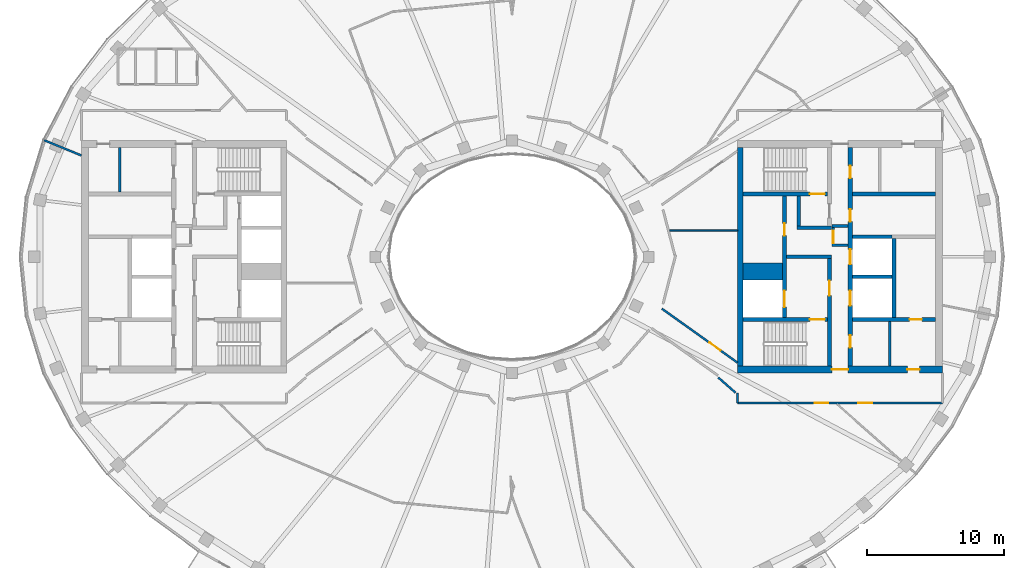
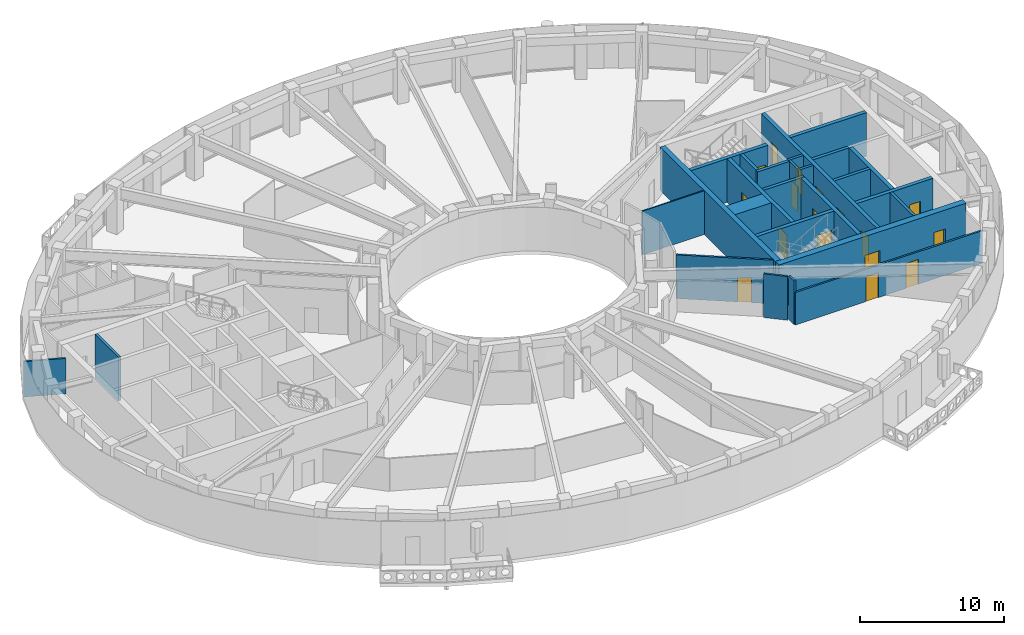
# One storey, part 8 of 18: 27 walls, 17 doors, 17 openings.
"""IFC4 building model written with IfcOpenShell, lengths in metres."""

import ifcopenshell
import ifcopenshell.guid

model = None  # the IFC model being written
_history = None  # IfcOwnerHistory: only IFC2X3 demands one
_inside = {}  # id of a spatial element -> (the spatial element, [elements in it])
_under = {}  # id of a project, library or spatial element -> (it, [spatial elements below it])
_declared = {}  # id of a project -> (the project, [libraries it declares])
_typed = {}  # id of a type object -> (the type object, [elements of that type])
_made_of = {}  # id of a material, layer set ... -> (it, [elements and type objects made of it])


def new_model(schema):
    """Start an empty IFC model of exactly this schema.

    Asked for "IFC4X3", IfcOpenShell would pick the latest addendum, in which some entities
    have other attributes; the version numbers below select the first issue.
    IFC2X3 requires an IfcOwnerHistory on every rooted entity: one is made here for all.
    """
    global model, _history
    if schema == "IFC4X3":
        model = ifcopenshell.file(schema_version=(4, 3, 0, 0))
    else:
        model = ifcopenshell.file(schema=schema)
    _inside.clear()
    _under.clear()
    _declared.clear()
    _typed.clear()
    _made_of.clear()
    _history = None
    if model.schema == "IFC2X3":
        org = make("IfcOrganization", Name="unknown")
        user = make(
            "IfcPersonAndOrganization",
            ThePerson=make("IfcPerson", FamilyName="unknown"),
            TheOrganization=org,
        )
        app = make(
            "IfcApplication",
            ApplicationDeveloper=org,
            Version="unknown",
            ApplicationFullName="unknown",
            ApplicationIdentifier="unknown",
        )
        _history = make(
            "IfcOwnerHistory",
            OwningUser=user,
            OwningApplication=app,
            ChangeAction="ADDED",
            CreationDate=0,
        )
    return model


def make(cls, **values):
    """One entity of the class cls with the attributes given. An attribute that is None is left unset."""
    return model.create_entity(
        cls, **{name: value for name, value in values.items() if value is not None}
    )


def rooted(cls, **values):
    """An entity with a GlobalId (a new one), such as an element, a storey or a relation."""
    return make(cls, GlobalId=ifcopenshell.guid.new(), OwnerHistory=_history, **values)


def si_unit(unit_type, name, prefix=None):
    """IfcSIUnit, for example si_unit("LENGTHUNIT", "METRE", prefix="MILLI")."""
    return make("IfcSIUnit", UnitType=unit_type, Prefix=prefix, Name=name)


def assignment(units):
    """IfcUnitAssignment: the units of a project."""
    return None if units is None else make("IfcUnitAssignment", Units=units)


def point(xyz):
    """IfcCartesianPoint."""
    return None if xyz is None else make("IfcCartesianPoint", Coordinates=xyz)


def direction(xyz):
    """IfcDirection."""
    return None if xyz is None else make("IfcDirection", DirectionRatios=xyz)


def frame(location, z_axis=None, x_axis=None):
    """IfcAxis2Placement3D, a coordinate frame: its origin and axes. An axis left out is left unset."""
    return make(
        "IfcAxis2Placement3D",
        Location=point(location),
        Axis=direction(z_axis),
        RefDirection=direction(x_axis),
    )


def frame_2d(location, x_axis=None):
    """IfcAxis2Placement2D, a coordinate frame in the plane: its origin and x axis."""
    return make(
        "IfcAxis2Placement2D", Location=point(location), RefDirection=direction(x_axis)
    )


def origin():
    """The frame at (0, 0, 0) with its axes left unset."""
    return frame((0.0, 0.0, 0.0))


def place(relative_to, where):
    """IfcLocalPlacement: puts the frame where relative to a parent placement (None: the world)."""
    return make(
        "IfcLocalPlacement", PlacementRelTo=relative_to, RelativePlacement=where
    )


def context(
    kind, dimensions, precision=None, world=None, true_north=None, identifier=None
):
    """IfcGeometricRepresentationContext, for example the 3D "Model" context."""
    return make(
        "IfcGeometricRepresentationContext",
        ContextIdentifier=identifier,
        ContextType=kind,
        CoordinateSpaceDimension=dimensions,
        Precision=precision,
        WorldCoordinateSystem=world,
        TrueNorth=true_north,
    )


def subcontext(parent, identifier, kind, view, scale=None):
    """IfcGeometricRepresentationSubContext, for example "Body" below "Model"."""
    return make(
        "IfcGeometricRepresentationSubContext",
        ContextIdentifier=identifier,
        ContextType=kind,
        ParentContext=parent,
        TargetScale=scale,
        TargetView=view,
    )


def project(units=None, contexts=None):
    """IfcProject with its units and contexts."""
    return rooted(
        "IfcProject",
        Name="project",
        RepresentationContexts=contexts,
        UnitsInContext=assignment(units),
    )


def spatial(cls, under=None, at=None, **own):
    """A site, building, storey or space (cls), placed at a placement, below another one or the project."""
    s = rooted(cls, ObjectPlacement=at, **own)
    if under is not None:
        _under.setdefault(under.id(), (under, []))[1].append(s)
    return s


def profile(cls, at=None, kind="AREA", **sizes):
    """A parametric profile (cls). Its sizes go by their IFC names, for example OverallWidth=200.0."""
    return make(cls, ProfileType=kind, Position=at, **sizes)


def rectangle(**sizes):
    """IfcRectangleProfileDef."""
    return profile("IfcRectangleProfileDef", **sizes)


def extrude(swept, where, along, depth):
    """IfcExtrudedAreaSolid: the profile swept, set in the frame where, extruded along a direction by depth."""
    return make(
        "IfcExtrudedAreaSolid",
        SweptArea=swept,
        Position=where,
        ExtrudedDirection=direction(along),
        Depth=depth,
    )


def shape(context_of_items, identifier, shape_type, items):
    """IfcShapeRepresentation: the items that make up one representation, for example the "Body"."""
    return make(
        "IfcShapeRepresentation",
        ContextOfItems=context_of_items,
        RepresentationIdentifier=identifier,
        RepresentationType=shape_type,
        Items=items,
    )


def material(Name=None, Category=None):
    """IfcMaterial."""
    return make("IfcMaterial", Name=Name, Category=Category)


def layer(
    of_material, thickness, ventilated=None, Name=None, Category=None, Priority=None
):
    """IfcMaterialLayer: one layer of a wall or slab, of a material (None: an air gap)."""
    return make(
        "IfcMaterialLayer",
        Material=of_material,
        LayerThickness=thickness,
        IsVentilated=ventilated,
        Name=Name,
        Category=Category,
        Priority=Priority,
    )


def layer_set(layers, Name=None):
    """IfcMaterialLayerSet."""
    return make("IfcMaterialLayerSet", MaterialLayers=layers, LayerSetName=Name)


def made_of(thing, what):
    """Note that an element or type object is made of a material, layer set ...; save() writes the relation."""
    if what is not None:
        _made_of.setdefault(what.id(), (what, []))[1].append(thing)
    return thing


def type_object(cls, material=None, **own):
    """A type object (cls), such as IfcWallType, which elements share."""
    return made_of(rooted(cls, **own), material)


def element(
    cls,
    number,
    at=None,
    inside=None,
    cuts=None,
    type_object=None,
    material=None,
    context=None,
    identifier="Body",
    shape_type=None,
    held_by="IfcProductDefinitionShape",
    body=None,
    shapes=None,
    **own,
):
    """One element of the class cls, such as IfcWall. Its Tag is "e" and its number.

    at: its placement. inside: the storey or other place that contains it. cuts: it is an
    opening in that element (IfcRelVoidsElement). A single representation is given by context,
    identifier, shape_type and body (its items); several are given by shapes. held_by: the class
    of the entity that holds the representations. save() writes the other relations.
    """
    e = rooted(cls, Tag="e%d" % number, ObjectPlacement=at, **own)
    if body is not None:
        shapes = [shape(context, identifier, shape_type, body)]
    if shapes is not None:
        e.Representation = make(held_by, Representations=shapes)
    if inside is not None:
        _inside.setdefault(inside.id(), (inside, []))[1].append(e)
    if cuts is not None:
        rooted(
            "IfcRelVoidsElement", RelatingBuildingElement=cuts, RelatedOpeningElement=e
        )
    if type_object is not None:
        _typed.setdefault(type_object.id(), (type_object, []))[1].append(e)
    return made_of(e, material)


def fill(opening, filler):
    """IfcRelFillsElement: the door or window that sits in an opening."""
    return rooted(
        "IfcRelFillsElement",
        RelatingOpeningElement=opening,
        RelatedBuildingElement=filler,
    )


def aggregate(whole, parts):
    """IfcRelAggregates: a whole, such as a stair, and the parts it consists of."""
    return rooted("IfcRelAggregates", RelatingObject=whole, RelatedObjects=parts)


def save(model, path):
    """Write the relations noted so far, then the file.

    IfcRelAggregates (storeys below a building ...), IfcRelContainedInSpatialStructure (elements
    in a storey), IfcRelDefinesByType, IfcRelAssociatesMaterial and IfcRelDeclares: one each for
    every whole, place, type object, material and project.
    """
    for whole, parts in _under.values():
        aggregate(whole, parts)
    for where, things in _inside.values():
        rooted(
            "IfcRelContainedInSpatialStructure",
            RelatedElements=things,
            RelatingStructure=where,
        )
    for kind, things in _typed.values():
        rooted("IfcRelDefinesByType", RelatedObjects=things, RelatingType=kind)
    for what, things in _made_of.values():
        rooted("IfcRelAssociatesMaterial", RelatedObjects=things, RelatingMaterial=what)
    for by, libraries in _declared.values():
        rooted("IfcRelDeclares", RelatingContext=by, RelatedDefinitions=libraries)
    model.write(path)


model = new_model("IFC4")

# Units and contexts
model_context = context("Model", 3, precision=1e-05, world=origin(), true_north=direction((0.0, 1.0)))
body_context = subcontext(model_context, "Body", "Model", "MODEL_VIEW")
ifc_project = project(units=[si_unit("LENGTHUNIT", "METRE"), si_unit("AREAUNIT", "SQUARE_METRE"), si_unit("VOLUMEUNIT", "CUBIC_METRE"), si_unit("PLANEANGLEUNIT", "RADIAN"), si_unit("MASSUNIT", "GRAM", prefix="KILO")], contexts=[model_context])

# Site, building, storey
site_placement = place(None, origin())
site = spatial("IfcSite", under=ifc_project, at=site_placement, CompositionType="ELEMENT")
building_placement = place(site_placement, origin())
building = spatial("IfcBuilding", under=site, at=building_placement, Name="Noorbagh Ring Tower", CompositionType="ELEMENT")
storey_placement = place(building_placement, frame((0.0, 0.0, 319.0)))
storey = spatial("IfcBuildingStorey", under=building, at=storey_placement, Name="L69", CompositionType="ELEMENT", Elevation=319.0)

# Walls
ifc_material_1 = material(Name="Gypsum board on steel studs", Category="steel")
ifc_layer_1 = layer(ifc_material_1, 0.199951171875)
ifc_layer_set_1 = layer_set([ifc_layer_1], Name="Gypsum board on steel studs")
wall_type_1 = type_object("IfcWallType", Name="CORE-PARTITION-200", PredefinedType="PARTITIONING", material=ifc_layer_set_1)
wall_1_placement = place(storey_placement, frame((-28.699951171875, 4.75, 0.0), z_axis=(0.0, 0.0, 1.0), x_axis=(0.0, 1.0, 0.0)))
element("IfcWall", 1, at=wall_1_placement, inside=storey, type_object=wall_type_1, Name="Core partition W", PredefinedType="PARTITIONING", context=body_context, shape_type="SweptSolid", body=[
    extrude(rectangle(XDim=3.25, YDim=0.199951171875, at=frame_2d((1.625, 0.0))), origin(), (0.0, 0.0, 1.0), 3.699951171875),
])
for number, where, z_axis, x_axis, name in (
    (2, (23.39990234375, 0.85009765625, 0.0), (0.0, 0.0, 1.0), (1.0, 0.0, 0.0), "Core partition E"),
    (3, (23.39990234375, 2.25, 0.0), (0.0, 0.0, 1.0), (1.0, 0.0, 0.0), "Core partition E"),
):
    element("IfcWall", number, at=place(storey_placement, frame(where, z_axis=z_axis, x_axis=x_axis)), inside=storey, type_object=wall_type_1, Name=name, PredefinedType="PARTITIONING", context=body_context, shape_type="SweptSolid", body=[
        extrude(rectangle(XDim=1.2001953125, YDim=0.199951171875, at=frame_2d((0.60009765625, 0.0))), origin(), (0.0, 0.0, 1.0), 3.699951171875),
    ])

# Wall, opening, door
wall_2_placement = place(storey_placement, frame((23.5, 0.75, 0.0), z_axis=(0.0, 0.0, 1.0), x_axis=(0.0, 1.0, 0.0)))
wall_2 = element("IfcWall", 4, at=wall_2_placement, inside=storey, type_object=wall_type_1, Name="Core partition E", PredefinedType="PARTITIONING", context=body_context, shape_type="SweptSolid", body=[
    extrude(rectangle(XDim=1.60009765625, YDim=0.199951171875, at=frame_2d((0.800048828125, 0.0))), origin(), (0.0, 0.0, 1.0), 3.699951171875),
])
opening_1_placement = place(wall_2_placement, frame((0.25, 0.0, 0.0)))
opening_1 = element("IfcOpeningElement", 5, at=opening_1_placement, cuts=wall_2, Name="Opening L69-CE16", PredefinedType="OPENING", context=body_context, shape_type="SweptSolid", body=[
    extrude(rectangle(XDim=0.89990234375, YDim=2.10009765625, at=frame_2d((0.449951171875, 1.050048828125))), frame((0.0, 0.10986328125, 0.0), z_axis=(0.0, -1.0, 0.0), x_axis=(1.0, 0.0, 0.0)), (0.0, 0.0, 1.0), 0.219970703125),
])
ifc_material_2 = material(Name="Steel door leaf", Category="steel")
door_type_1 = type_object("IfcDoorType", Name="CORE-DOOR-DROOM", OperationType="SINGLE_SWING_LEFT", PredefinedType="DOOR", material=ifc_material_2)
door_1_placement = place(opening_1_placement, origin())
door_1 = element("IfcDoor", 6, at=door_1_placement, inside=storey, type_object=door_type_1, Name="Core room door L69-CE16", OperationType="SINGLE_SWING_LEFT", OverallHeight=2.10009765625, OverallWidth=0.89990234375, PredefinedType="DOOR", context=body_context, shape_type="SweptSolid", body=[
    extrude(rectangle(XDim=0.89990234375, YDim=2.10009765625, at=frame_2d((0.449951171875, 1.050048828125))), frame((0.0, 0.02490234375, 0.0), z_axis=(0.0, -1.0, 0.0), x_axis=(1.0, 0.0, 0.0)), (0.0, 0.0, 1.0), 0.050048828125),
])
fill(opening_1, door_1)

# Walls
wall_3_placement = place(storey_placement, frame((27.64990234375, -8.0, 0.0), z_axis=(0.0, 0.0, 1.0), x_axis=(0.0, 1.0, 0.0)))
element("IfcWall", 7, at=wall_3_placement, inside=storey, type_object=wall_type_1, Name="Core partition E", PredefinedType="PARTITIONING", context=body_context, shape_type="SweptSolid", body=[
    extrude(rectangle(XDim=3.25, YDim=0.199951171875, at=frame_2d((1.625, 0.0))), origin(), (0.0, 0.0, 1.0), 3.699951171875),
])
ifc_material_3 = material(Name="Concrete C50/60", Category="concrete")
ifc_layer_2 = layer(ifc_material_3, 1.25)
ifc_layer_set_2 = layer_set([ifc_layer_2], Name="Concrete C50/60")
wall_type_2 = type_object("IfcWallType", Name="CORE-WALL-1250-C50-60-EI120", PredefinedType="SHEAR", material=ifc_layer_set_2)
wall_4_placement = place(storey_placement, frame((16.89990234375, -1.074951171875, 0.0), z_axis=(0.0, 0.0, 1.0), x_axis=(1.0, 0.0, 0.0)))
element("IfcWall", 8, at=wall_4_placement, inside=storey, type_object=wall_type_2, Name="Core wall E", PredefinedType="SHEAR", context=body_context, shape_type="SweptSolid", body=[
    extrude(rectangle(XDim=2.900146484375, YDim=1.25, at=frame_2d((1.4501953125, 0.0))), origin(), (0.0, 0.0, 1.0), 3.699951171875),
])
ifc_material_4 = material(Name="Concrete C50/60", Category="concrete")
ifc_layer_3 = layer(ifc_material_4, 0.25)
ifc_layer_set_3 = layer_set([ifc_layer_3], Name="Concrete C50/60")
wall_type_3 = type_object("IfcWallType", Name="CORE-WALL-250-C50-60-EI120", PredefinedType="SHEAR", material=ifc_layer_set_3)
for number, where, z_axis, x_axis, name in (
    (9, (24.89990234375, -1.47509765625, 0.0), (0.0, 0.0, 1.0), (1.0, 0.0, 0.0), "Core wall E"),
    (10, (24.89990234375, 1.47509765625, 0.0), (0.0, 0.0, 1.0), (1.0, 0.0, 0.0), "Core wall E"),
):
    element("IfcWall", number, at=place(storey_placement, frame(where, z_axis=z_axis, x_axis=x_axis)), inside=storey, type_object=wall_type_3, Name=name, PredefinedType="SHEAR", context=body_context, shape_type="SweptSolid", body=[
        extrude(rectangle(XDim=2.900146484375, YDim=0.25, at=frame_2d((1.4501953125, 0.0))), origin(), (0.0, 0.0, 1.0), 3.699951171875),
    ])
ifc_material_5 = material(Name="Concrete C50/60", Category="concrete")
ifc_layer_4 = layer(ifc_material_5, 0.25)
ifc_layer_set_4 = layer_set([ifc_layer_4], Name="Concrete C50/60")
wall_type_4 = type_object("IfcWallType", Name="CORE-WALL-250-C50-60-EI240", PredefinedType="SHEAR", material=ifc_layer_set_4)
wall_5_placement = place(storey_placement, frame((20.10009765625, 0.0, 0.0), z_axis=(0.0, 0.0, 1.0), x_axis=(1.0, 0.0, 0.0)))
element("IfcWall", 11, at=wall_5_placement, inside=storey, type_object=wall_type_4, Name="Core wall E", PredefinedType="SHEAR", context=body_context, shape_type="SweptSolid", body=[
    extrude(rectangle(XDim=3.27978515625, YDim=0.25, at=frame_2d((1.639892578125, 0.0))), origin(), (0.0, 0.0, 1.0), 3.699951171875),
])
wall_6_placement = place(storey_placement, frame((20.85009765625, 2.125, 0.0), z_axis=(0.0, 0.0, 1.0), x_axis=(1.0, 0.0, 0.0)))
element("IfcWall", 12, at=wall_6_placement, inside=storey, type_object=wall_type_4, Name="Core wall E", PredefinedType="SHEAR", context=body_context, shape_type="SweptSolid", body=[
    extrude(rectangle(XDim=2.52978515625, YDim=0.25, at=frame_2d((1.264892578125, 0.0))), origin(), (0.0, 0.0, 1.0), 3.699951171875),
])
wall_7_placement = place(storey_placement, frame((20.97509765625, 2.25, 0.0), z_axis=(0.0, 0.0, 1.0), x_axis=(0.0, 1.0, 0.0)))
element("IfcWall", 13, at=wall_7_placement, inside=storey, type_object=wall_type_4, Name="Core wall E", PredefinedType="SHEAR", context=body_context, shape_type="SweptSolid", body=[
    extrude(rectangle(XDim=2.199951171875, YDim=0.25, at=frame_2d((1.10009765625, 0.0))), origin(), (0.0, 0.0, 1.0), 3.699951171875),
])
ifc_material_6 = material(Name="Concrete C50/60", Category="concrete")
ifc_layer_5 = layer(ifc_material_6, 0.300048828125)
ifc_layer_set_5 = layer_set([ifc_layer_5], Name="Concrete C50/60")
wall_type_5 = type_object("IfcWallType", Name="CORE-WALL-300-C50-60-EI120", PredefinedType="SHEAR", material=ifc_layer_set_5)
wall_8_placement = place(storey_placement, frame((27.949951171875, -4.449951171875, 0.0), z_axis=(0.0, 0.0, 1.0), x_axis=(0.0, 1.0, 0.0)))
element("IfcWall", 14, at=wall_8_placement, inside=storey, type_object=wall_type_5, Name="Core wall E", PredefinedType="SHEAR", context=body_context, shape_type="SweptSolid", body=[
    extrude(rectangle(XDim=5.800048828125, YDim=0.300048828125, at=frame_2d((2.89990234375, 0.0))), origin(), (0.0, 0.0, 1.0), 3.699951171875),
])

# Wall, openings, doors
wall_9_placement = place(storey_placement, frame((19.949951171875, -4.449951171875, 0.0), z_axis=(0.0, 0.0, 1.0), x_axis=(0.0, 1.0, 0.0)))
wall_9 = element("IfcWall", 15, at=wall_9_placement, inside=storey, type_object=wall_type_5, Name="Core wall E", PredefinedType="SHEAR", context=body_context, shape_type="SweptSolid", body=[
    extrude(rectangle(XDim=8.89990234375, YDim=0.300048828125, at=frame_2d((4.449951171875, 0.0))), origin(), (0.0, 0.0, 1.0), 3.699951171875),
])
opening_2_placement = place(wall_9_placement, frame((0.77490234375, 0.0, 0.0)))
opening_2 = element("IfcOpeningElement", 16, at=opening_2_placement, cuts=wall_9, Name="Opening L69-CE01", PredefinedType="OPENING", context=body_context, shape_type="SweptSolid", body=[
    extrude(rectangle(XDim=1.199951171875, YDim=2.10009765625, at=frame_2d((0.60009765625, 1.050048828125))), frame((0.0, 0.16015625, 0.0), z_axis=(0.0, -1.0, 0.0), x_axis=(1.0, 0.0, 0.0)), (0.0, 0.0, 1.0), 0.320068359375),
])
opening_3_placement = place(wall_9_placement, frame((6.0, 0.0, 0.0)))
opening_3 = element("IfcOpeningElement", 17, at=opening_3_placement, cuts=wall_9, Name="Opening L69-CE10", PredefinedType="OPENING", context=body_context, shape_type="SweptSolid", body=[
    extrude(rectangle(XDim=0.89990234375, YDim=2.10009765625, at=frame_2d((0.449951171875, 1.050048828125))), frame((0.0, 0.16015625, 0.0), z_axis=(0.0, -1.0, 0.0), x_axis=(1.0, 0.0, 0.0)), (0.0, 0.0, 1.0), 0.320068359375),
])
door_2_placement = place(opening_3_placement, origin())
door_2 = element("IfcDoor", 18, at=door_2_placement, inside=storey, type_object=door_type_1, Name="Core room door L69-CE10", OperationType="SINGLE_SWING_RIGHT", OverallHeight=2.10009765625, OverallWidth=0.89990234375, PredefinedType="DOOR", context=body_context, shape_type="SweptSolid", body=[
    extrude(rectangle(XDim=0.89990234375, YDim=2.10009765625, at=frame_2d((0.449951171875, 1.050048828125))), frame((0.0, 0.02490234375, 0.0), z_axis=(0.0, -1.0, 0.0), x_axis=(1.0, 0.0, 0.0)), (0.0, 0.0, 1.0), 0.050048828125),
])
fill(opening_3, door_2)
ifc_material_7 = material(Name="Steel door leaf", Category="steel")
door_type_2 = type_object("IfcDoorType", Name="CORE-DOOR-LDW", OperationType="DOUBLE_DOOR_SLIDING", PredefinedType="DOOR", material=ifc_material_7)
door_3_placement = place(opening_2_placement, origin())
door_3 = element("IfcDoor", 19, at=door_3_placement, inside=storey, type_object=door_type_2, Name="Landing door FF2 L69-CE01", OperationType="DOUBLE_DOOR_SLIDING", OverallHeight=2.10009765625, OverallWidth=1.199951171875, PredefinedType="DOOR", context=body_context, shape_type="SweptSolid", body=[
    extrude(rectangle(XDim=1.199951171875, YDim=2.10009765625, at=frame_2d((0.60009765625, 1.050048828125))), frame((0.0, 0.02490234375, 0.0), z_axis=(0.0, -1.0, 0.0), x_axis=(1.0, 0.0, 0.0)), (0.0, 0.0, 1.0), 0.050048828125),
])
fill(opening_2, door_3)

wall_10_placement = place(storey_placement, frame((24.75, -8.0, 0.0), z_axis=(0.0, 0.0, 1.0), x_axis=(0.0, 1.0, 0.0)))
wall_10 = element("IfcWall", 20, at=wall_10_placement, inside=storey, type_object=wall_type_5, Name="Core wall E", PredefinedType="SHEAR", context=body_context, shape_type="SweptSolid", body=[
    extrude(rectangle(XDim=16.0, YDim=0.300048828125, at=frame_2d((8.0, 0.0))), origin(), (0.0, 0.0, 1.0), 3.699951171875),
])
opening_4_placement = place(wall_10_placement, frame((4.425048828125, 0.0, 0.0)))
opening_4 = element("IfcOpeningElement", 21, at=opening_4_placement, cuts=wall_10, Name="Opening L69-CE02", PredefinedType="OPENING", context=body_context, shape_type="SweptSolid", body=[
    extrude(rectangle(XDim=1.10009765625, YDim=2.10009765625, at=frame_2d((0.550048828125, 1.050048828125))), frame((0.0, 0.16015625, 0.0), z_axis=(0.0, -1.0, 0.0), x_axis=(1.0, 0.0, 0.0)), (0.0, 0.0, 1.0), 0.320068359375),
])
opening_5_placement = place(wall_10_placement, frame((7.449951171875, 0.0, 0.0)))
opening_5 = element("IfcOpeningElement", 22, at=opening_5_placement, cuts=wall_10, Name="Opening L69-CE03", PredefinedType="OPENING", context=body_context, shape_type="SweptSolid", body=[
    extrude(rectangle(XDim=1.10009765625, YDim=2.10009765625, at=frame_2d((0.550048828125, 1.050048828125))), frame((0.0, 0.16015625, 0.0), z_axis=(0.0, -1.0, 0.0), x_axis=(1.0, 0.0, 0.0)), (0.0, 0.0, 1.0), 0.320068359375),
])
opening_6_placement = place(wall_10_placement, frame((10.574951171875, 0.0, 0.0)))
opening_6 = element("IfcOpeningElement", 23, at=opening_6_placement, cuts=wall_10, Name="Opening L69-CE11", PredefinedType="OPENING", context=body_context, shape_type="SweptSolid", body=[
    extrude(rectangle(XDim=0.89990234375, YDim=2.10009765625, at=frame_2d((0.449951171875, 1.050048828125))), frame((0.0, 0.16015625, 0.0), z_axis=(0.0, -1.0, 0.0), x_axis=(1.0, 0.0, 0.0)), (0.0, 0.0, 1.0), 0.320068359375),
])
opening_7_placement = place(wall_10_placement, frame((13.75, 0.0, 0.0)))
opening_7 = element("IfcOpeningElement", 24, at=opening_7_placement, cuts=wall_10, Name="Opening L69-CE12", PredefinedType="OPENING", context=body_context, shape_type="SweptSolid", body=[
    extrude(rectangle(XDim=0.89990234375, YDim=2.10009765625, at=frame_2d((0.449951171875, 1.050048828125))), frame((0.0, 0.16015625, 0.0), z_axis=(0.0, -1.0, 0.0), x_axis=(1.0, 0.0, 0.0)), (0.0, 0.0, 1.0), 0.320068359375),
])
opening_8_placement = place(wall_10_placement, frame((1.35009765625, 0.0, 0.0)))
opening_8 = element("IfcOpeningElement", 25, at=opening_8_placement, cuts=wall_10, Name="Opening L69-CE14", PredefinedType="OPENING", context=body_context, shape_type="SweptSolid", body=[
    extrude(rectangle(XDim=0.89990234375, YDim=2.10009765625, at=frame_2d((0.449951171875, 1.050048828125))), frame((0.0, 0.16015625, 0.0), z_axis=(0.0, -1.0, 0.0), x_axis=(1.0, 0.0, 0.0)), (0.0, 0.0, 1.0), 0.320068359375),
])
door_4_placement = place(opening_6_placement, origin())
door_4 = element("IfcDoor", 26, at=door_4_placement, inside=storey, type_object=door_type_1, Name="Core room door L69-CE11", OperationType="SINGLE_SWING_LEFT", OverallHeight=2.10009765625, OverallWidth=0.89990234375, PredefinedType="DOOR", context=body_context, shape_type="SweptSolid", body=[
    extrude(rectangle(XDim=0.89990234375, YDim=2.10009765625, at=frame_2d((0.449951171875, 1.050048828125))), frame((0.0, 0.02490234375, 0.0), z_axis=(0.0, -1.0, 0.0), x_axis=(1.0, 0.0, 0.0)), (0.0, 0.0, 1.0), 0.050048828125),
])
fill(opening_6, door_4)
door_5_placement = place(opening_7_placement, origin())
door_5 = element("IfcDoor", 27, at=door_5_placement, inside=storey, type_object=door_type_1, Name="Core room door L69-CE12", OperationType="SINGLE_SWING_LEFT", OverallHeight=2.10009765625, OverallWidth=0.89990234375, PredefinedType="DOOR", context=body_context, shape_type="SweptSolid", body=[
    extrude(rectangle(XDim=0.89990234375, YDim=2.10009765625, at=frame_2d((0.449951171875, 1.050048828125))), frame((0.0, 0.02490234375, 0.0), z_axis=(0.0, -1.0, 0.0), x_axis=(1.0, 0.0, 0.0)), (0.0, 0.0, 1.0), 0.050048828125),
])
fill(opening_7, door_5)
door_6_placement = place(opening_8_placement, origin())
door_6 = element("IfcDoor", 28, at=door_6_placement, inside=storey, type_object=door_type_1, Name="Core room door L69-CE14", OperationType="SINGLE_SWING_RIGHT", OverallHeight=2.10009765625, OverallWidth=0.89990234375, PredefinedType="DOOR", context=body_context, shape_type="SweptSolid", body=[
    extrude(rectangle(XDim=0.89990234375, YDim=2.10009765625, at=frame_2d((0.449951171875, 1.050048828125))), frame((0.0, 0.02490234375, 0.0), z_axis=(0.0, -1.0, 0.0), x_axis=(1.0, 0.0, 0.0)), (0.0, 0.0, 1.0), 0.050048828125),
])
fill(opening_8, door_6)
ifc_material_8 = material(Name="Steel door leaf", Category="steel")
door_type_3 = type_object("IfcDoorType", Name="CORE-DOOR-LD", OperationType="DOUBLE_DOOR_SLIDING", PredefinedType="DOOR", material=ifc_material_8)
door_7_placement = place(opening_4_placement, origin())
door_7 = element("IfcDoor", 29, at=door_7_placement, inside=storey, type_object=door_type_3, Name="Landing door HR12 L69-CE02", OperationType="DOUBLE_DOOR_SLIDING", OverallHeight=2.10009765625, OverallWidth=1.10009765625, PredefinedType="DOOR", context=body_context, shape_type="SweptSolid", body=[
    extrude(rectangle(XDim=1.10009765625, YDim=2.10009765625, at=frame_2d((0.550048828125, 1.050048828125))), frame((0.0, 0.02490234375, 0.0), z_axis=(0.0, -1.0, 0.0), x_axis=(1.0, 0.0, 0.0)), (0.0, 0.0, 1.0), 0.050048828125),
])
fill(opening_4, door_7)
door_8_placement = place(opening_5_placement, origin())
door_8 = element("IfcDoor", 30, at=door_8_placement, inside=storey, type_object=door_type_3, Name="Landing door HR13 L69-CE03", OperationType="DOUBLE_DOOR_SLIDING", OverallHeight=2.10009765625, OverallWidth=1.10009765625, PredefinedType="DOOR", context=body_context, shape_type="SweptSolid", body=[
    extrude(rectangle(XDim=1.10009765625, YDim=2.10009765625, at=frame_2d((0.550048828125, 1.050048828125))), frame((0.0, 0.02490234375, 0.0), z_axis=(0.0, -1.0, 0.0), x_axis=(1.0, 0.0, 0.0)), (0.0, 0.0, 1.0), 0.050048828125),
])
fill(opening_5, door_8)

# Wall
ifc_material_9 = material(Name="Concrete C50/60", Category="concrete")
ifc_layer_6 = layer(ifc_material_9, 0.300048828125)
ifc_layer_set_6 = layer_set([ifc_layer_6], Name="Concrete C50/60")
wall_type_6 = type_object("IfcWallType", Name="CORE-WALL-300-C50-60-EI240", PredefinedType="SHEAR", material=ifc_layer_set_6)
wall_11_placement = place(storey_placement, frame((24.89990234375, 4.60009765625, 0.0), z_axis=(0.0, 0.0, 1.0), x_axis=(1.0, 0.0, 0.0)))
element("IfcWall", 31, at=wall_11_placement, inside=storey, type_object=wall_type_6, Name="Core wall E", PredefinedType="SHEAR", context=body_context, shape_type="SweptSolid", body=[
    extrude(rectangle(XDim=6.10009765625, YDim=0.300048828125, at=frame_2d((3.050048828125, 0.0))), origin(), (0.0, 0.0, 1.0), 3.699951171875),
])

# Wall, opening, door
wall_12_placement = place(storey_placement, frame((24.89990234375, -4.60009765625, 0.0), z_axis=(0.0, 0.0, 1.0), x_axis=(1.0, 0.0, 0.0)))
wall_12 = element("IfcWall", 32, at=wall_12_placement, inside=storey, type_object=wall_type_6, Name="Core wall E", PredefinedType="SHEAR", context=body_context, shape_type="SweptSolid", body=[
    extrude(rectangle(XDim=6.10009765625, YDim=0.300048828125, at=frame_2d((3.050048828125, 0.0))), origin(), (0.0, 0.0, 1.0), 3.699951171875),
])
opening_9_placement = place(wall_12_placement, frame((4.199951171875, 0.0, 0.0)))
opening_9 = element("IfcOpeningElement", 33, at=opening_9_placement, cuts=wall_12, Name="Opening L69-CE17", PredefinedType="OPENING", context=body_context, shape_type="SweptSolid", body=[
    extrude(rectangle(XDim=0.89990234375, YDim=2.10009765625, at=frame_2d((0.449951171875, 1.050048828125))), frame((0.0, 0.16015625, 0.0), z_axis=(0.0, -1.0, 0.0), x_axis=(1.0, 0.0, 0.0)), (0.0, 0.0, 1.0), 0.320068359375),
])
door_9_placement = place(opening_9_placement, origin())
door_9 = element("IfcDoor", 34, at=door_9_placement, inside=storey, type_object=door_type_1, Name="Core room door L69-CE17", OperationType="SINGLE_SWING_LEFT", OverallHeight=2.10009765625, OverallWidth=0.89990234375, PredefinedType="DOOR", context=body_context, shape_type="SweptSolid", body=[
    extrude(rectangle(XDim=0.89990234375, YDim=2.10009765625, at=frame_2d((0.449951171875, 1.050048828125))), frame((0.0, 0.02490234375, 0.0), z_axis=(0.0, -1.0, 0.0), x_axis=(1.0, 0.0, 0.0)), (0.0, 0.0, 1.0), 0.050048828125),
])
fill(opening_9, door_9)

wall_13_placement = place(storey_placement, frame((23.22998046875, -8.0, 0.0), z_axis=(0.0, 0.0, 1.0), x_axis=(0.0, 1.0, 0.0)))
wall_13 = element("IfcWall", 35, at=wall_13_placement, inside=storey, type_object=wall_type_6, Name="Core wall E", PredefinedType="SHEAR", context=body_context, shape_type="SweptSolid", body=[
    extrude(rectangle(XDim=7.875, YDim=0.300048828125, at=frame_2d((3.9375, 0.0))), origin(), (0.0, 0.0, 1.0), 3.699951171875),
])
opening_10_placement = place(wall_13_placement, frame((5.14990234375, 0.0, 0.0)))
opening_10 = element("IfcOpeningElement", 36, at=opening_10_placement, cuts=wall_13, Name="Opening L69-CE06", PredefinedType="OPENING", context=body_context, shape_type="SweptSolid", body=[
    extrude(rectangle(XDim=1.10009765625, YDim=2.10009765625, at=frame_2d((0.550048828125, 1.050048828125))), frame((0.0, 0.16015625, 0.0), z_axis=(0.0, -1.0, 0.0), x_axis=(1.0, 0.0, 0.0)), (0.0, 0.0, 1.0), 0.320068359375),
])
ifc_material_10 = material(Name="Steel door leaf", Category="steel")
door_type_4 = type_object("IfcDoorType", Name="CORE-DOOR-DFF", OperationType="SINGLE_SWING_LEFT", PredefinedType="DOOR", material=ifc_material_10)
door_10_placement = place(opening_10_placement, origin())
door_10 = element("IfcDoor", 37, at=door_10_placement, inside=storey, type_object=door_type_4, Name="Firefighting lobby door L69-CE06", OperationType="SINGLE_SWING_RIGHT", OverallHeight=2.10009765625, OverallWidth=1.10009765625, PredefinedType="DOOR", context=body_context, shape_type="SweptSolid", body=[
    extrude(rectangle(XDim=1.10009765625, YDim=2.10009765625, at=frame_2d((0.550048828125, 1.050048828125))), frame((0.0, 0.02490234375, 0.0), z_axis=(0.0, -1.0, 0.0), x_axis=(1.0, 0.0, 0.0)), (0.0, 0.0, 1.0), 0.050048828125),
])
fill(opening_10, door_10)

wall_14_placement = place(storey_placement, frame((16.89990234375, 4.60009765625, 0.0), z_axis=(0.0, 0.0, 1.0), x_axis=(1.0, 0.0, 0.0)))
wall_14 = element("IfcWall", 38, at=wall_14_placement, inside=storey, type_object=wall_type_6, Name="Core wall E", PredefinedType="SHEAR", context=body_context, shape_type="SweptSolid", body=[
    extrude(rectangle(XDim=6.18017578125, YDim=0.300048828125, at=frame_2d((3.090087890625, 0.0))), origin(), (0.0, 0.0, 1.0), 3.699951171875),
])
opening_11_placement = place(wall_14_placement, frame((4.89990234375, 0.0, 0.0)))
opening_11 = element("IfcOpeningElement", 39, at=opening_11_placement, cuts=wall_14, Name="Opening L69-CE04", PredefinedType="OPENING", context=body_context, shape_type="SweptSolid", body=[
    extrude(rectangle(XDim=1.10009765625, YDim=2.10009765625, at=frame_2d((0.550048828125, 1.050048828125))), frame((0.0, 0.16015625, 0.0), z_axis=(0.0, -1.0, 0.0), x_axis=(1.0, 0.0, 0.0)), (0.0, 0.0, 1.0), 0.320068359375),
])
ifc_material_11 = material(Name="Steel door leaf", Category="steel")
door_type_5 = type_object("IfcDoorType", Name="CORE-DOOR-DSTAIR", OperationType="SINGLE_SWING_LEFT", PredefinedType="DOOR", material=ifc_material_11)
door_11_placement = place(opening_11_placement, origin())
door_11 = element("IfcDoor", 40, at=door_11_placement, inside=storey, type_object=door_type_5, Name="Stair door ST3 L69-CE04", OperationType="SINGLE_SWING_LEFT", OverallHeight=2.10009765625, OverallWidth=1.10009765625, PredefinedType="DOOR", context=body_context, shape_type="SweptSolid", body=[
    extrude(rectangle(XDim=1.10009765625, YDim=2.10009765625, at=frame_2d((0.550048828125, 1.050048828125))), frame((0.0, 0.02490234375, 0.0), z_axis=(0.0, -1.0, 0.0), x_axis=(1.0, 0.0, 0.0)), (0.0, 0.0, 1.0), 0.050048828125),
])
fill(opening_11, door_11)

wall_15_placement = place(storey_placement, frame((16.89990234375, -4.60009765625, 0.0), z_axis=(0.0, 0.0, 1.0), x_axis=(1.0, 0.0, 0.0)))
wall_15 = element("IfcWall", 41, at=wall_15_placement, inside=storey, type_object=wall_type_6, Name="Core wall E", PredefinedType="SHEAR", context=body_context, shape_type="SweptSolid", body=[
    extrude(rectangle(XDim=6.18017578125, YDim=0.300048828125, at=frame_2d((3.090087890625, 0.0))), origin(), (0.0, 0.0, 1.0), 3.699951171875),
])
opening_12_placement = place(wall_15_placement, frame((4.89990234375, 0.0, 0.0)))
opening_12 = element("IfcOpeningElement", 42, at=opening_12_placement, cuts=wall_15, Name="Opening L69-CE05", PredefinedType="OPENING", context=body_context, shape_type="SweptSolid", body=[
    extrude(rectangle(XDim=1.10009765625, YDim=2.10009765625, at=frame_2d((0.550048828125, 1.050048828125))), frame((0.0, 0.16015625, 0.0), z_axis=(0.0, -1.0, 0.0), x_axis=(1.0, 0.0, 0.0)), (0.0, 0.0, 1.0), 0.320068359375),
])
door_12_placement = place(opening_12_placement, origin())
door_12 = element("IfcDoor", 43, at=door_12_placement, inside=storey, type_object=door_type_5, Name="Stair door ST4 L69-CE05", OperationType="SINGLE_SWING_RIGHT", OverallHeight=2.10009765625, OverallWidth=1.10009765625, PredefinedType="DOOR", context=body_context, shape_type="SweptSolid", body=[
    extrude(rectangle(XDim=1.10009765625, YDim=2.10009765625, at=frame_2d((0.550048828125, 1.050048828125))), frame((0.0, 0.02490234375, 0.0), z_axis=(0.0, -1.0, 0.0), x_axis=(1.0, 0.0, 0.0)), (0.0, 0.0, 1.0), 0.050048828125),
])
fill(opening_12, door_12)

# Wall
ifc_material_12 = material(Name="Concrete C50/60", Category="concrete")
ifc_layer_7 = layer(ifc_material_12, 0.39990234375)
ifc_layer_set_7 = layer_set([ifc_layer_7], Name="Concrete C50/60")
wall_type_7 = type_object("IfcWallType", Name="CORE-WALL-400-C50-60-EI240", PredefinedType="SHEAR", material=ifc_layer_set_7)
wall_16_placement = place(storey_placement, frame((16.699951171875, -8.0, 0.0), z_axis=(0.0, 0.0, 1.0), x_axis=(0.0, 1.0, 0.0)))
element("IfcWall", 44, at=wall_16_placement, inside=storey, type_object=wall_type_7, Name="Core wall E", PredefinedType="SHEAR", context=body_context, shape_type="SweptSolid", body=[
    extrude(rectangle(XDim=16.0, YDim=0.39990234375, at=frame_2d((8.0, 0.0))), origin(), (0.0, 0.0, 1.0), 3.699951171875),
])

# Wall, openings, doors
ifc_material_13 = material(Name="Concrete C50/60", Category="concrete")
ifc_layer_8 = layer(ifc_material_13, 0.5)
ifc_layer_set_8 = layer_set([ifc_layer_8], Name="Concrete C50/60")
wall_type_8 = type_object("IfcWallType", Name="CORE-WALL-500-C50-60-EI240", PredefinedType="SHEAR", material=ifc_layer_set_8)
wall_17_placement = place(storey_placement, frame((16.5, -8.25, 0.0), z_axis=(0.0, 0.0, 1.0), x_axis=(1.0, 0.0, 0.0)))
wall_17 = element("IfcWall", 45, at=wall_17_placement, inside=storey, type_object=wall_type_8, Name="Core wall E", PredefinedType="SHEAR", context=body_context, shape_type="SweptSolid", body=[
    extrude(rectangle(XDim=15.0, YDim=0.5, at=frame_2d((7.5, 0.0))), origin(), (0.0, 0.0, 1.0), 3.699951171875),
])
opening_13_placement = place(wall_17_placement, frame((6.89990234375, 0.0, 0.0)))
opening_13 = element("IfcOpeningElement", 46, at=opening_13_placement, cuts=wall_17, Name="Opening L69-CE09", PredefinedType="OPENING", context=body_context, shape_type="SweptSolid", body=[
    extrude(rectangle(XDim=1.199951171875, YDim=2.10009765625, at=frame_2d((0.60009765625, 1.050048828125))), frame((0.0, 0.260009765625, 0.0), z_axis=(0.0, -1.0, 0.0), x_axis=(1.0, 0.0, 0.0)), (0.0, 0.0, 1.0), 0.52001953125),
])
opening_14_placement = place(wall_17_placement, frame((12.425048828125, 0.0, 0.0)))
opening_14 = element("IfcOpeningElement", 47, at=opening_14_placement, cuts=wall_17, Name="Opening L69-CE15", PredefinedType="OPENING", context=body_context, shape_type="SweptSolid", body=[
    extrude(rectangle(XDim=0.89990234375, YDim=2.10009765625, at=frame_2d((0.449951171875, 1.050048828125))), frame((0.0, 0.260009765625, 0.0), z_axis=(0.0, -1.0, 0.0), x_axis=(1.0, 0.0, 0.0)), (0.0, 0.0, 1.0), 0.52001953125),
])
door_13_placement = place(opening_14_placement, origin())
door_13 = element("IfcDoor", 48, at=door_13_placement, inside=storey, type_object=door_type_1, Name="Core room door L69-CE15", OperationType="SINGLE_SWING_RIGHT", OverallHeight=2.10009765625, OverallWidth=0.89990234375, PredefinedType="DOOR", context=body_context, shape_type="SweptSolid", body=[
    extrude(rectangle(XDim=0.89990234375, YDim=2.10009765625, at=frame_2d((0.449951171875, 1.050048828125))), frame((0.0, 0.02490234375, 0.0), z_axis=(0.0, -1.0, 0.0), x_axis=(1.0, 0.0, 0.0)), (0.0, 0.0, 1.0), 0.050048828125),
])
fill(opening_14, door_13)
ifc_material_14 = material(Name="Steel door leaf", Category="steel")
door_type_6 = type_object("IfcDoorType", Name="CORE-DOOR-PORT", OperationType="DOUBLE_DOOR_DOUBLE_SWING", PredefinedType="DOOR", material=ifc_material_14)
door_14_placement = place(opening_13_placement, origin())
door_14 = element("IfcDoor", 49, at=door_14_placement, inside=storey, type_object=door_type_6, Name="Core entrance door L69-CE09", OperationType="DOUBLE_DOOR_DOUBLE_SWING", OverallHeight=2.10009765625, OverallWidth=1.199951171875, PredefinedType="DOOR", context=body_context, shape_type="SweptSolid", body=[
    extrude(rectangle(XDim=1.199951171875, YDim=2.10009765625, at=frame_2d((0.60009765625, 1.050048828125))), frame((0.0, 0.02490234375, 0.0), z_axis=(0.0, -1.0, 0.0), x_axis=(1.0, 0.0, 0.0)), (0.0, 0.0, 1.0), 0.050048828125),
])
fill(opening_13, door_14)

# Wall
ifc_material_15 = material(Name="Gypsum board on steel studs", Category="steel")
ifc_layer_9 = layer(ifc_material_15, 0.14990234375)
ifc_layer_set_9 = layer_set([ifc_layer_9], Name="Gypsum board on steel studs")
wall_type_9 = type_object("IfcWallType", Name="CORRIDOR PARTITION 150 EI 30", PredefinedType="PARTITIONING", material=ifc_layer_set_9)
wall_18_placement = place(storey_placement, frame((-34.23388671875, 8.530029296875, 0.0), z_axis=(0.0, 0.0, 1.0), x_axis=(0.925344112436, -0.379128307542, 0.0)))
element("IfcWall", 50, at=wall_18_placement, inside=storey, type_object=wall_type_9, Name="L69/wall/P01", PredefinedType="PARTITIONING", context=body_context, shape_type="SweptSolid", body=[
    extrude(rectangle(XDim=2.954345703125, YDim=0.14990234375, at=frame_2d((1.47705078125, 0.0))), origin(), (0.0, 0.0, 1.0), 3.0),
])

# Wall, opening, door
wall_19_placement = place(storey_placement, frame((10.969970703125, -3.799072265625, 0.0), z_axis=(0.0, 0.0, 1.0), x_axis=(0.814095150002, -0.580731510032, 0.0)))
wall_19 = element("IfcWall", 51, at=wall_19_placement, inside=storey, type_object=wall_type_9, Name="L69/wall/P68", PredefinedType="PARTITIONING", context=body_context, shape_type="SweptSolid", body=[
    extrude(rectangle(XDim=6.79296875, YDim=0.14990234375, at=frame_2d((3.396484375, 0.0))), origin(), (0.0, 0.0, 1.0), 3.699951171875),
])
opening_15_placement = place(wall_19_placement, frame((4.266845703125, 0.0, 0.0)))
opening_15 = element("IfcOpeningElement", 52, at=opening_15_placement, cuts=wall_19, Name="Opening D1", PredefinedType="OPENING", context=body_context, shape_type="SweptSolid", body=[
    extrude(rectangle(XDim=1.0, YDim=2.10009765625, at=frame_2d((0.5, 1.050048828125))), frame((0.0, 0.0849609375, 0.0), z_axis=(0.0, -1.0, 0.0), x_axis=(1.0, 0.0, 0.0)), (0.0, 0.0, 1.0), 0.169921875),
])
ifc_material_16 = material(Name="Timber, painted", Category="wood")
door_type_7 = type_object("IfcDoorType", Name="DOOR 1000 X 2100 FD30", OperationType="SINGLE_SWING_LEFT", PredefinedType="DOOR", material=ifc_material_16)
door_15_placement = place(opening_15_placement, origin())
door_15 = element("IfcDoor", 53, at=door_15_placement, inside=storey, type_object=door_type_7, Name="L69-D19", OperationType="SINGLE_SWING_LEFT", OverallHeight=2.10009765625, OverallWidth=1.0, PredefinedType="DOOR", context=body_context, shape_type="SweptSolid", body=[
    extrude(rectangle(XDim=1.0, YDim=2.10009765625, at=frame_2d((0.5, 1.050048828125))), frame((0.0, 0.02490234375, 0.0), z_axis=(0.0, -1.0, 0.0), x_axis=(1.0, 0.0, 0.0)), (0.0, 0.0, 1.0), 0.050048828125),
])
fill(opening_15, door_15)

# Wall
wall_20_placement = place(storey_placement, frame((16.5, -10.699951171875, 0.0), z_axis=(0.0, 0.0, 1.0), x_axis=(0.0, 1.0, 0.0)))
element("IfcWall", 54, at=wall_20_placement, inside=storey, type_object=wall_type_9, Name="L69/wall/P76", PredefinedType="PARTITIONING", context=body_context, shape_type="SweptSolid", body=[
    extrude(rectangle(XDim=0.73583984375, YDim=0.14990234375, at=frame_2d((0.367919921875, 0.0))), origin(), (0.0, 0.0, 1.0), 3.699951171875),
])

# Wall, openings, doors
wall_21_placement = place(storey_placement, frame((16.5, -10.699951171875, 0.0), z_axis=(0.0, 0.0, 1.0), x_axis=(1.0, 0.0, 0.0)))
wall_21 = element("IfcWall", 55, at=wall_21_placement, inside=storey, type_object=wall_type_9, Name="L69/wall/P77", PredefinedType="PARTITIONING", context=body_context, shape_type="SweptSolid", body=[
    extrude(rectangle(XDim=15.0, YDim=0.14990234375, at=frame_2d((7.5, 0.0))), origin(), (0.0, 0.0, 1.0), 2.75),
])
opening_16_placement = place(wall_21_placement, frame((5.64990234375, 0.0, 0.0)))
opening_16 = element("IfcOpeningElement", 56, at=opening_16_placement, cuts=wall_21, Name="Opening D1", PredefinedType="OPENING", context=body_context, shape_type="SweptSolid", body=[
    extrude(rectangle(XDim=1.0, YDim=2.10009765625, at=frame_2d((0.5, 1.050048828125))), frame((0.0, 0.0849609375, 0.0), z_axis=(0.0, -1.0, 0.0), x_axis=(1.0, 0.0, 0.0)), (0.0, 0.0, 1.0), 0.169921875),
])
opening_17_placement = place(wall_21_placement, frame((8.846923828125, 0.0, 0.0)))
opening_17 = element("IfcOpeningElement", 57, at=opening_17_placement, cuts=wall_21, Name="Opening D1", PredefinedType="OPENING", context=body_context, shape_type="SweptSolid", body=[
    extrude(rectangle(XDim=1.0, YDim=2.10009765625, at=frame_2d((0.5, 1.050048828125))), frame((0.0, 0.0849609375, 0.0), z_axis=(0.0, -1.0, 0.0), x_axis=(1.0, 0.0, 0.0)), (0.0, 0.0, 1.0), 0.169921875),
])
door_16_placement = place(opening_16_placement, origin())
door_16 = element("IfcDoor", 58, at=door_16_placement, inside=storey, type_object=door_type_7, Name="L69-D12", OperationType="SINGLE_SWING_RIGHT", OverallHeight=2.10009765625, OverallWidth=1.0, PredefinedType="DOOR", context=body_context, shape_type="SweptSolid", body=[
    extrude(rectangle(XDim=1.0, YDim=2.10009765625, at=frame_2d((0.5, 1.050048828125))), frame((0.0, 0.02490234375, 0.0), z_axis=(0.0, -1.0, 0.0), x_axis=(1.0, 0.0, 0.0)), (0.0, 0.0, 1.0), 0.050048828125),
])
fill(opening_16, door_16)
door_17_placement = place(opening_17_placement, origin())
door_17 = element("IfcDoor", 59, at=door_17_placement, inside=storey, type_object=door_type_7, Name="L69-D15", OperationType="SINGLE_SWING_LEFT", OverallHeight=2.10009765625, OverallWidth=1.0, PredefinedType="DOOR", context=body_context, shape_type="SweptSolid", body=[
    extrude(rectangle(XDim=1.0, YDim=2.10009765625, at=frame_2d((0.5, 1.050048828125))), frame((0.0, 0.02490234375, 0.0), z_axis=(0.0, -1.0, 0.0), x_axis=(1.0, 0.0, 0.0)), (0.0, 0.0, 1.0), 0.050048828125),
])
fill(opening_17, door_17)

# Walls
wall_22_placement = place(storey_placement, frame((16.35205078125, -9.94189453125, 0.0), z_axis=(0.0, 0.0, 1.0), x_axis=(-0.750621325629, 0.660732642989, 0.0)))
element("IfcWall", 60, at=wall_22_placement, inside=storey, type_object=wall_type_9, Name="L69/wall/P89", PredefinedType="PARTITIONING", context=body_context, shape_type="SweptSolid", body=[
    extrude(rectangle(XDim=1.68115234375, YDim=0.14990234375, at=frame_2d((0.840576171875, 0.0))), origin(), (0.0, 0.0, 1.0), 3.699951171875),
])
ifc_material_17 = material(Name="Gypsum board on steel studs", Category="steel")
ifc_layer_10 = layer(ifc_material_17, 0.10009765625)
ifc_layer_set_10 = layer_set([ifc_layer_10], Name="Gypsum board on steel studs")
wall_type_10 = type_object("IfcWallType", Name="PARTITION 100 GYPSUM", PredefinedType="PARTITIONING", material=ifc_layer_set_10)
wall_23_placement = place(storey_placement, frame((11.52490234375, 1.928955078125, 0.0), z_axis=(0.0, 0.0, 1.0), x_axis=(1.0, 0.0, 0.0)))
element("IfcWall", 61, at=wall_23_placement, inside=storey, type_object=wall_type_10, Name="L69/wall/P72", PredefinedType="PARTITIONING", context=body_context, shape_type="SweptSolid", body=[
    extrude(rectangle(XDim=4.97509765625, YDim=0.10009765625, at=frame_2d((2.487548828125, 0.0))), origin(), (0.0, 0.0, 1.0), 3.699951171875),
])

save(model, "model.ifc")
